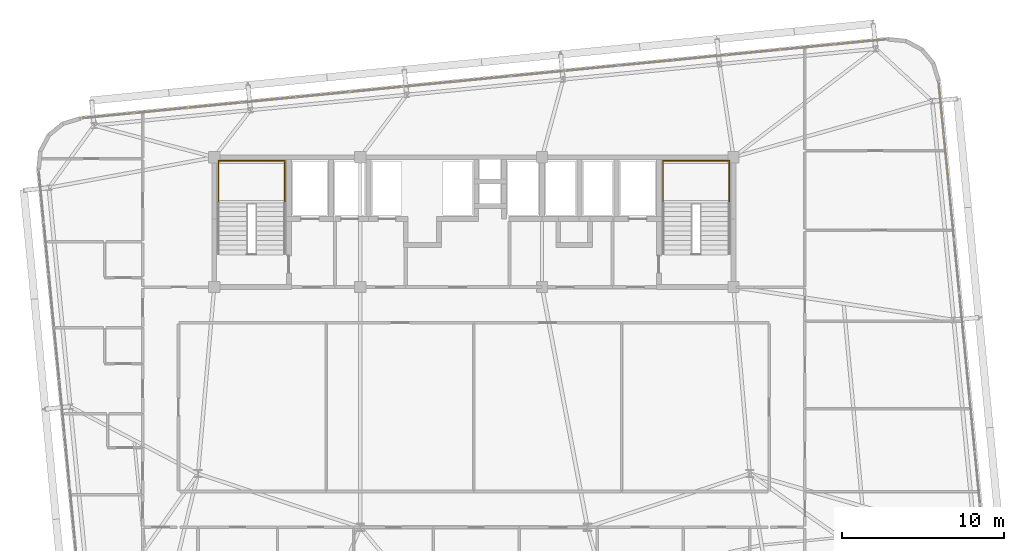
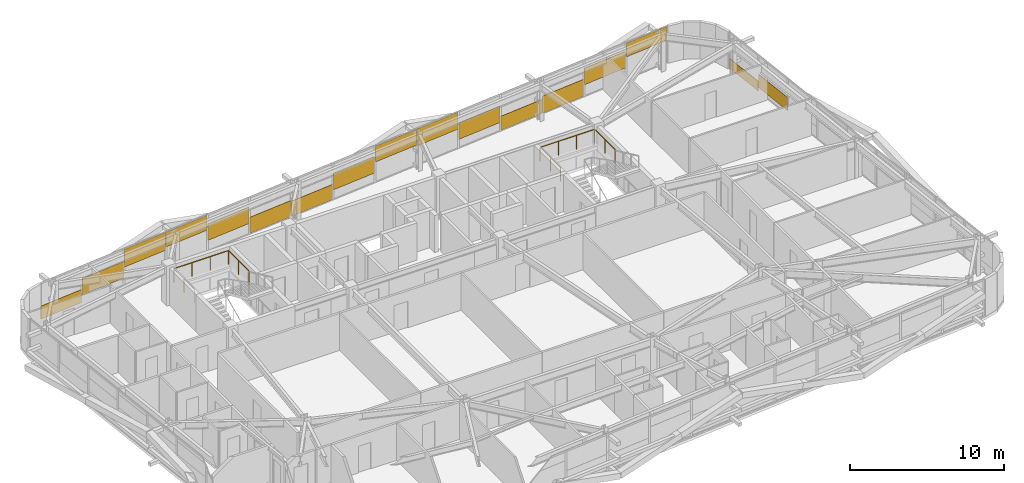
# One storey, part 53 of 53: 17 coverings, 2 railings.
"""IFC4 building model written with IfcOpenShell, lengths in metres."""

from ifc_helpers import new_model, si_unit, direction, frame, origin, origin_2d, place, context, subcontext, project, spatial, rectangle, extrude, source, transform, mapped, material, layer, layer_set, type_object, element, save


model = new_model("IFC4")

# Units and contexts
model_context = context("Model", 3, precision=1e-05, world=origin(), true_north=direction((0.0, 1.0)))
body_context = subcontext(model_context, "Body", "Model", "MODEL_VIEW")
ifc_project = project(units=[si_unit("LENGTHUNIT", "METRE"), si_unit("AREAUNIT", "SQUARE_METRE"), si_unit("VOLUMEUNIT", "CUBIC_METRE"), si_unit("PLANEANGLEUNIT", "RADIAN"), si_unit("MASSUNIT", "GRAM", prefix="KILO")], contexts=[model_context])

# Site, building, storey
site_placement = place(None, origin())
site = spatial("IfcSite", under=ifc_project, at=site_placement, CompositionType="ELEMENT")
building_placement = place(site_placement, origin())
building = spatial("IfcBuilding", under=site, at=building_placement, Name="Taldren Reach Tower", CompositionType="ELEMENT")
storey_placement = place(building_placement, frame((0.0, 0.0, 68.25)))
storey = spatial("IfcBuildingStorey", under=building, at=storey_placement, Name="L20", CompositionType="ELEMENT", Elevation=68.25)

# Railings
ifc_material_1 = material(Name="Steel Gr 350 (C350L0)", Category="steel")
ifc_layer_1 = layer(ifc_material_1, 0.050048828125)
ifc_layer_set_1 = layer_set([ifc_layer_1], Name="Steel Gr 350 (C350L0)")
railing_type = type_object("IfcRailingType", Name="RL-STAIR-GR", PredefinedType="GUARDRAIL", material=ifc_layer_set_1)
for number, where, name in (
    (1, (19.260009765625, 29.135009765625, 1.574951171875), "Stair half-landing perimeter guard ST1-L20"),
    (2, (46.659912109375, 29.135009765625, 1.574951171875), "Stair half-landing perimeter guard ST2-L20"),
):
    element("IfcRailing", number, at=place(storey_placement, frame(where)), inside=storey, type_object=railing_type, Name=name, PredefinedType="GUARDRAIL", context=body_context, shape_type="SweptSolid", body=[
        extrude(rectangle(XDim=0.047852, YDim=0.047852, at=origin_2d()), frame((0.0, 0.0, 1.09619140625), z_axis=(0.0, 1.0, 0.0), x_axis=(-1.0, 0.0, 0.0)), (0.0, 0.0, 1.0), 2.64501953125),
        extrude(rectangle(XDim=0.047852, YDim=0.047852, at=origin_2d()), frame((0.0, 2.64501953125, 1.09619140625), z_axis=(1.0, 0.0, 0.0), x_axis=(0.0, 1.0, 0.0)), (0.0, 0.0, 1.0), 4.080078125),
        extrude(rectangle(XDim=0.047852, YDim=0.047852, at=origin_2d()), frame((4.080078125, 2.64501953125, 1.09619140625), z_axis=(0.0, -1.0, 0.0), x_axis=(1.0, 0.0, 0.0)), (0.0, 0.0, 1.0), 2.64501953125),
        extrude(rectangle(XDim=0.041992, YDim=0.041992, at=origin_2d()), origin(), (0.0, 0.0, 1.0), 1.072021484375),
        extrude(rectangle(XDim=0.041992, YDim=0.041992, at=origin_2d()), frame((0.0, 1.322509765625, 0.0)), (0.0, 0.0, 1.0), 1.072021484375),
        extrude(rectangle(XDim=0.041992, YDim=0.041992, at=origin_2d()), frame((0.0, 2.64501953125, 0.0)), (0.0, 0.0, 1.0), 1.072021484375),
        extrude(rectangle(XDim=0.041992, YDim=0.041992, at=origin_2d()), frame((1.360107421875, 2.64501953125, 0.0)), (0.0, 0.0, 1.0), 1.072021484375),
        extrude(rectangle(XDim=0.041992, YDim=0.041992, at=origin_2d()), frame((2.719970703125, 2.64501953125, 0.0)), (0.0, 0.0, 1.0), 1.072021484375),
        extrude(rectangle(XDim=0.041992, YDim=0.041992, at=origin_2d()), frame((4.080078125, 2.64501953125, 0.0)), (0.0, 0.0, 1.0), 1.072021484375),
        extrude(rectangle(XDim=0.041992, YDim=0.041992, at=origin_2d()), frame((4.080078125, 1.322509765625, 0.0)), (0.0, 0.0, 1.0), 1.072021484375),
        extrude(rectangle(XDim=0.041992, YDim=0.041992, at=origin_2d()), frame((4.080078125, 0.0, 0.0)), (0.0, 0.0, 1.0), 1.072021484375),
    ])

# Coverings
ifc_material_2 = material(Name="Pale Champagne Fluoropolymer Aluminium Spandrel Cladding", Category="aluminium")
ifc_layer_2 = layer(ifc_material_2, 0.0439453125)
ifc_layer_set_2 = layer_set([ifc_layer_2], Name="Pale Champagne Fluoropolymer Aluminium Spandrel Cladding")
covering_type = type_object("IfcCoveringType", Name="CV-CLAD-044", PredefinedType="CLADDING", material=ifc_layer_set_2)
shared_shape_1 = source(origin(), body_context, "Body", "SweptSolid", [
    extrude(rectangle(XDim=3.23583984375, YDim=0.0439453125, at=origin_2d()), origin(), (0.0, 0.0, 1.0), 1.094970703125),
])
covering_1_placement = place(storey_placement, frame((58.83740234375, 39.101318359375, 1.7802734375), z_axis=(0.0, 0.0, 1.0), x_axis=(-0.995227390247, -0.097582999046, 0.0)))
element("IfcCovering", 3, at=covering_1_placement, inside=storey, type_object=covering_type, Name="Diagrid closure cladding strip CW-3 panel 1.1 1", PredefinedType="CLADDING", context=body_context, shape_type="MappedRepresentation", body=[
    mapped(shared_shape_1, transform((0.0, 0.0, 0.0), scale=1.0)),
])
shared_shape_2 = source(origin(), body_context, "Body", "SweptSolid", [
    extrude(rectangle(XDim=3.268310546875, YDim=0.0439453125, at=origin_2d()), origin(), (0.0, 0.0, 1.0), 1.3046875),
])
for number, where, z_axis, x_axis, name in (
    (4, (55.5361328125, 38.777587890625, 0.943359375), (0.0, 0.0, 1.0), (-0.995227390247, -0.097582999046, 0.0), "Diagrid closure cladding strip CW-3 panel 2.1 1"),
    (5, (45.583740234375, 37.8017578125, 0.702392578125), (0.0, 0.0, 1.0), (-0.995227390247, -0.097582999046, 0.0), "Diagrid closure cladding strip CW-3 panel 5.1 1"),
    (6, (35.631591796875, 36.825927734375, 0.78271484375), (0.0, 0.0, 1.0), (-0.995227390247, -0.097582999046, 0.0), "Diagrid closure cladding strip CW-3 panel 8.1 1"),
    (7, (25.67919921875, 35.85009765625, 0.863037109375), (0.0, 0.0, 1.0), (-0.995227390247, -0.097582999046, 0.0), "Diagrid closure cladding strip CW-3 panel 11.1 1"),
    (8, (15.72705078125, 34.874267578125, 0.6220703125), (0.0, 0.0, 1.0), (-0.995227390247, -0.097582999046, 0.0), "Diagrid closure cladding strip CW-3 panel 14.1 1"),
):
    element("IfcCovering", number, at=place(storey_placement, frame(where, z_axis=z_axis, x_axis=x_axis)), inside=storey, type_object=covering_type, Name=name, PredefinedType="CLADDING", context=body_context, shape_type="MappedRepresentation", body=[
        mapped(shared_shape_2, transform((0.0, 0.0, 0.0), scale=1.0)),
    ])
shared_shape_3 = source(origin(), body_context, "Body", "SweptSolid", [
    extrude(rectangle(XDim=3.268310546875, YDim=0.0439453125, at=origin_2d()), origin(), (0.0, 0.0, 1.0), 1.356201171875),
])
covering_2_placement = place(storey_placement, frame((52.21875, 38.452392578125, 0.05517578125), z_axis=(0.0, 0.0, 1.0), x_axis=(-0.995227390247, -0.097582999046, 0.0)))
element("IfcCovering", 9, at=covering_2_placement, inside=storey, type_object=covering_type, Name="Diagrid closure cladding strip CW-3 panel 3.1 1", PredefinedType="CLADDING", context=body_context, shape_type="MappedRepresentation", body=[
    mapped(shared_shape_3, transform((0.0, 0.0, 0.0), scale=1.0)),
])
shared_shape_4 = source(origin(), body_context, "Body", "SweptSolid", [
    extrude(rectangle(XDim=3.268310546875, YDim=0.0439453125, at=origin_2d()), origin(), (0.0, 0.0, 1.0), 1.115234375),
])
covering_3_placement = place(storey_placement, frame((48.9013671875, 38.126953125, 0.054931640625), z_axis=(0.0, 0.0, 1.0), x_axis=(-0.995227390247, -0.097582999046, 0.0)))
element("IfcCovering", 10, at=covering_3_placement, inside=storey, type_object=covering_type, Name="Diagrid closure cladding strip CW-3 panel 4.1 1", PredefinedType="CLADDING", context=body_context, shape_type="MappedRepresentation", body=[
    mapped(shared_shape_4, transform((0.0, 0.0, 0.0), scale=1.0)),
])
shared_shape_5 = source(origin(), body_context, "Body", "SweptSolid", [
    extrude(rectangle(XDim=3.268310546875, YDim=0.0439453125, at=origin_2d()), origin(), (0.0, 0.0, 1.0), 1.3359375),
])
covering_4_placement = place(storey_placement, frame((42.266357421875, 37.4765625, 1.5390625), z_axis=(0.0, 0.0, 1.0), x_axis=(-0.995227390247, -0.097582999046, 0.0)))
element("IfcCovering", 11, at=covering_4_placement, inside=storey, type_object=covering_type, Name="Diagrid closure cladding strip CW-3 panel 6.1 1", PredefinedType="CLADDING", context=body_context, shape_type="MappedRepresentation", body=[
    mapped(shared_shape_5, transform((0.0, 0.0, 0.0), scale=1.0)),
])
shared_shape_6 = source(origin(), body_context, "Body", "SweptSolid", [
    extrude(rectangle(XDim=3.268310546875, YDim=0.0439453125, at=origin_2d()), origin(), (0.0, 0.0, 1.0), 1.255615234375),
])
covering_5_placement = place(storey_placement, frame((38.948974609375, 37.151123046875, 1.61962890625), z_axis=(0.0, 0.0, 1.0), x_axis=(-0.995227390247, -0.097582999046, 0.0)))
element("IfcCovering", 12, at=covering_5_placement, inside=storey, type_object=covering_type, Name="Diagrid closure cladding strip CW-3 panel 7.1 1", PredefinedType="CLADDING", context=body_context, shape_type="MappedRepresentation", body=[
    mapped(shared_shape_6, transform((0.0, 0.0, 0.0), scale=1.0)),
])
shared_shape_7 = source(origin(), body_context, "Body", "SweptSolid", [
    extrude(rectangle(XDim=3.268310546875, YDim=0.0439453125, at=origin_2d()), origin(), (0.0, 0.0, 1.0), 1.195556640625),
])
covering_6_placement = place(storey_placement, frame((32.314208984375, 36.500732421875, 0.05517578125), z_axis=(0.0, 0.0, 1.0), x_axis=(-0.995227390247, -0.097582999046, 0.0)))
element("IfcCovering", 13, at=covering_6_placement, inside=storey, type_object=covering_type, Name="Diagrid closure cladding strip CW-3 panel 9.1 1", PredefinedType="CLADDING", context=body_context, shape_type="MappedRepresentation", body=[
    mapped(shared_shape_7, transform((0.0, 0.0, 0.0), scale=1.0)),
])
shared_shape_8 = source(origin(), body_context, "Body", "SweptSolid", [
    extrude(rectangle(XDim=3.268310546875, YDim=0.0439453125, at=origin_2d()), origin(), (0.0, 0.0, 1.0), 1.27587890625),
])
covering_7_placement = place(storey_placement, frame((28.996826171875, 36.17529296875, 0.054931640625), z_axis=(0.0, 0.0, 1.0), x_axis=(-0.995227390247, -0.097582999046, 0.0)))
element("IfcCovering", 14, at=covering_7_placement, inside=storey, type_object=covering_type, Name="Diagrid closure cladding strip CW-3 panel 10.1 1", PredefinedType="CLADDING", context=body_context, shape_type="MappedRepresentation", body=[
    mapped(shared_shape_8, transform((0.0, 0.0, 0.0), scale=1.0)),
])
shared_shape_9 = source(origin(), body_context, "Body", "SweptSolid", [
    extrude(rectangle(XDim=3.268310546875, YDim=0.0439453125, at=origin_2d()), origin(), (0.0, 0.0, 1.0), 1.17529296875),
])
covering_8_placement = place(storey_placement, frame((22.36181640625, 35.52490234375, 1.69970703125), z_axis=(0.0, 0.0, 1.0), x_axis=(-0.995227390247, -0.097582999046, 0.0)))
element("IfcCovering", 15, at=covering_8_placement, inside=storey, type_object=covering_type, Name="Diagrid closure cladding strip CW-3 panel 12.1 1", PredefinedType="CLADDING", context=body_context, shape_type="MappedRepresentation", body=[
    mapped(shared_shape_9, transform((0.0, 0.0, 0.0), scale=1.0)),
])
shared_shape_10 = source(origin(), body_context, "Body", "SweptSolid", [
    extrude(rectangle(XDim=3.268310546875, YDim=0.0439453125, at=origin_2d()), origin(), (0.0, 0.0, 1.0), 1.416259765625),
])
covering_9_placement = place(storey_placement, frame((19.04443359375, 35.199462890625, 1.458984375), z_axis=(0.0, 0.0, 1.0), x_axis=(-0.995227390247, -0.097582999046, 0.0)))
element("IfcCovering", 16, at=covering_9_placement, inside=storey, type_object=covering_type, Name="Diagrid closure cladding strip CW-3 panel 13.1 1", PredefinedType="CLADDING", context=body_context, shape_type="MappedRepresentation", body=[
    mapped(shared_shape_10, transform((0.0, 0.0, 0.0), scale=1.0)),
])
shared_shape_11 = source(origin(), body_context, "Body", "SweptSolid", [
    extrude(rectangle(XDim=3.23583984375, YDim=0.0439453125, at=origin_2d()), origin(), (0.0, 0.0, 1.0), 1.034912109375),
])
covering_10_placement = place(storey_placement, frame((12.42578125, 34.550537109375, 0.05517578125), z_axis=(0.0, 0.0, 1.0), x_axis=(-0.995227390247, -0.097582999046, 0.0)))
element("IfcCovering", 17, at=covering_10_placement, inside=storey, type_object=covering_type, Name="Diagrid closure cladding strip CW-3 panel 15.1 1", PredefinedType="CLADDING", context=body_context, shape_type="MappedRepresentation", body=[
    mapped(shared_shape_11, transform((0.0, 0.0, 0.0), scale=1.0)),
])
shared_shape_12 = source(origin(), body_context, "Body", "SweptSolid", [
    extrude(rectangle(XDim=3.212890625, YDim=0.0439453125, at=origin_2d()), origin(), (0.0, 0.0, 1.0), 1.053466796875),
])
covering_11_placement = place(storey_placement, frame((64.117431640625, 31.80517578125, 0.35986328125), z_axis=(0.0, 0.0, 1.0), x_axis=(-0.09758274098, 0.99522741555, 0.0)))
element("IfcCovering", 18, at=covering_11_placement, inside=storey, type_object=covering_type, Name="Diagrid closure cladding strip CW-3 panel 8.1 1", PredefinedType="CLADDING", context=body_context, shape_type="MappedRepresentation", body=[
    mapped(shared_shape_12, transform((0.0, 0.0, 0.0), scale=1.0)),
])
shared_shape_13 = source(origin(), body_context, "Body", "SweptSolid", [
    extrude(rectangle(XDim=3.18017578125, YDim=0.0439453125, at=origin_2d()), origin(), (0.0, 0.0, 1.0), 0.7705078125),
])
covering_12_placement = place(storey_placement, frame((63.79931640625, 35.051025390625, 0.054931640625), z_axis=(0.0, 0.0, 1.0), x_axis=(-0.09758274098, 0.99522741555, 0.0)))
element("IfcCovering", 19, at=covering_12_placement, inside=storey, type_object=covering_type, Name="Diagrid closure cladding strip CW-3 panel 9.1 1", PredefinedType="CLADDING", context=body_context, shape_type="MappedRepresentation", body=[
    mapped(shared_shape_13, transform((0.0, 0.0, 0.0), scale=1.0)),
])

save(model, "model.ifc")
